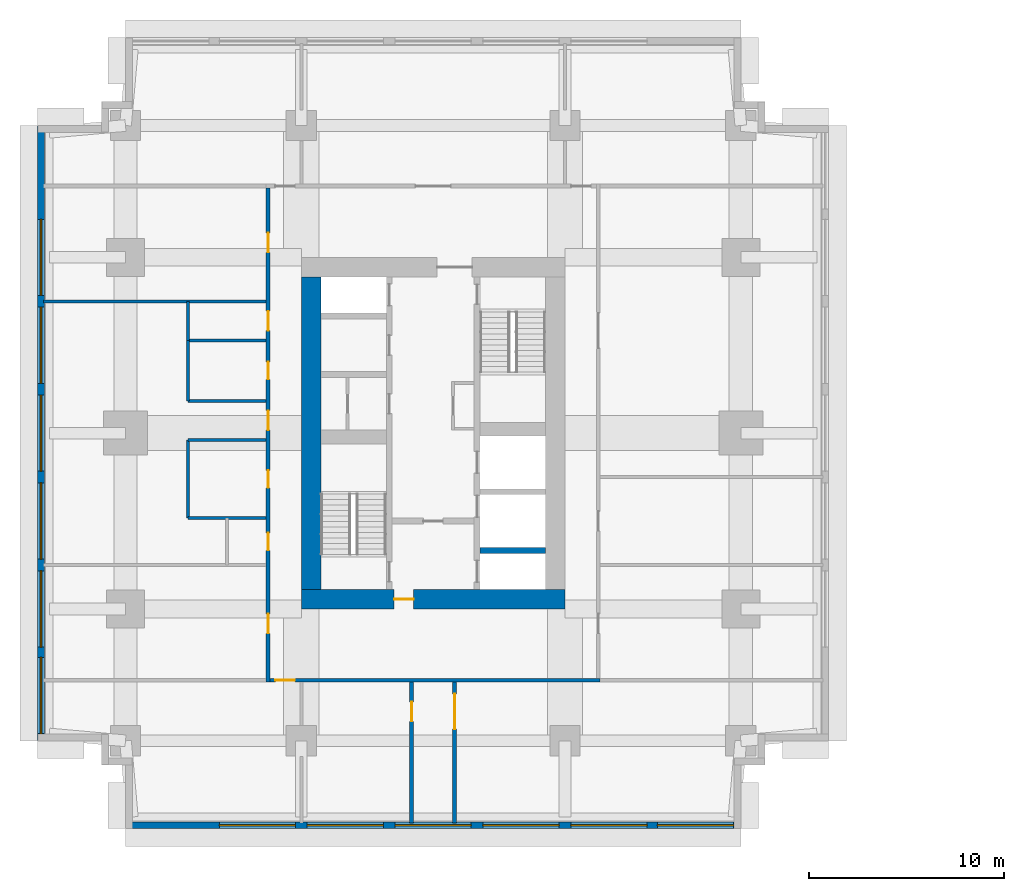
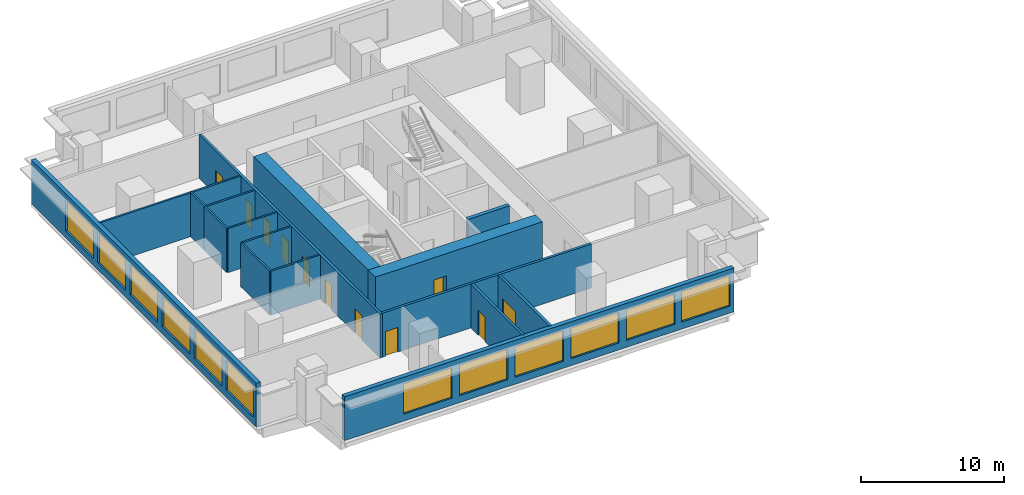
# One storey, part 2 of 5: 17 walls, 12 windows, 11 doors, 23 openings.
"""IFC4 building model written with IfcOpenShell, lengths in metres."""

from ifc_helpers import new_model, si_unit, direction, frame, frame_2d, origin, place, context, subcontext, project, spatial, rectangle, extrude, material, layer, layer_set, type_object, element, fill, save


model = new_model("IFC4")

# Units and contexts
model_context = context("Model", 3, precision=1e-05, world=origin(), true_north=direction((0.0, 1.0)))
body_context = subcontext(model_context, "Body", "Model", "MODEL_VIEW")
ifc_project = project(units=[si_unit("LENGTHUNIT", "METRE"), si_unit("AREAUNIT", "SQUARE_METRE"), si_unit("VOLUMEUNIT", "CUBIC_METRE"), si_unit("PLANEANGLEUNIT", "RADIAN"), si_unit("MASSUNIT", "GRAM", prefix="KILO")], contexts=[model_context])

# Site, building, storey
site_placement = place(None, origin())
site = spatial("IfcSite", under=ifc_project, at=site_placement, CompositionType="ELEMENT")
building_placement = place(site_placement, origin())
building = spatial("IfcBuilding", under=site, at=building_placement, Name="Namib Vertical Campus", CompositionType="ELEMENT")
storey_placement = place(building_placement, frame((0.0, 0.0, 241.0)))
storey = spatial("IfcBuildingStorey", under=building, at=storey_placement, Name="L57", CompositionType="ELEMENT", Elevation=241.0)

# Wall
ifc_material_1 = material(Name="Concrete C60/75", Category="concrete")
ifc_layer_1 = layer(ifc_material_1, 0.300048828125)
ifc_layer_set_1 = layer_set([ifc_layer_1], Name="Concrete C60/75")
wall_type_1 = type_object("IfcWallType", Name="Core inner wall 300", PredefinedType="SHEAR", material=ifc_layer_set_1)
wall_1_placement = place(storey_placement, frame((22.64990234375, 14.25, 0.0), z_axis=(0.0, 0.0, 1.0), x_axis=(1.0, 0.0, 0.0)))
element("IfcWall", 1, at=wall_1_placement, inside=storey, type_object=wall_type_1, Name="Core inner wall A L57 W5", PredefinedType="SHEAR", context=body_context, shape_type="SweptSolid", body=[
    extrude(rectangle(XDim=3.35009765625, YDim=0.300048828125, at=frame_2d((1.675048828125, 0.0))), origin(), (0.0, 0.0, 1.0), 4.0),
])

# Wall, opening, door
ifc_material_2 = material(Name="Concrete C60/75", Category="concrete")
ifc_layer_2 = layer(ifc_material_2, 1.0)
ifc_layer_set_2 = layer_set([ifc_layer_2], Name="Concrete C60/75")
wall_type_2 = type_object("IfcWallType", Name="Core wall 1000", PredefinedType="SHEAR", material=ifc_layer_set_2)
wall_2_placement = place(storey_placement, frame((13.5, 11.75, 0.0), z_axis=(0.0, 0.0, 1.0), x_axis=(1.0, 0.0, 0.0)))
wall_2 = element("IfcWall", 2, at=wall_2_placement, inside=storey, type_object=wall_type_2, Name="Core wall A L57 1", PredefinedType="SHEAR", context=body_context, shape_type="SweptSolid", body=[
    extrude(rectangle(XDim=13.5, YDim=1.0, at=frame_2d((6.75, 0.0))), origin(), (0.0, 0.0, 1.0), 4.0),
])
opening_1_placement = place(wall_2_placement, frame((4.75, 0.0, 0.0)))
opening_1 = element("IfcOpeningElement", 3, at=opening_1_placement, cuts=wall_2, Name="Opening FD5", PredefinedType="OPENING", context=body_context, shape_type="SweptSolid", body=[
    extrude(rectangle(XDim=1.0, YDim=2.10009765625, at=frame_2d((0.5, 1.050048828125))), frame((0.0, 0.510009765625, 0.0), z_axis=(0.0, -1.0, 0.0), x_axis=(1.0, 0.0, 0.0)), (0.0, 0.0, 1.0), 1.02001953125),
])
ifc_material_3 = material(Name="Steel fire door", Category="steel")
door_type_1 = type_object("IfcDoorType", Name="Fire door 1000x2100 120 min", OperationType="SINGLE_SWING_RIGHT", PredefinedType="DOOR", material=ifc_material_3)
door_1_placement = place(opening_1_placement, origin())
door_1 = element("IfcDoor", 4, at=door_1_placement, inside=storey, type_object=door_type_1, Name="Firefighting lobby door FD5 A L57", OperationType="SINGLE_SWING_LEFT", OverallHeight=2.10009765625, OverallWidth=1.0, PredefinedType="DOOR", context=body_context, shape_type="SweptSolid", body=[
    extrude(rectangle(XDim=1.0, YDim=2.10009765625, at=frame_2d((0.5, 1.050048828125))), frame((0.0, 0.02490234375, 0.0), z_axis=(0.0, -1.0, 0.0), x_axis=(1.0, 0.0, 0.0)), (0.0, 0.0, 1.0), 0.050048828125),
])
fill(opening_1, door_1)

# Wall
wall_3_placement = place(storey_placement, frame((14.0, 28.25, 0.0), z_axis=(0.0, 0.0, 1.0), x_axis=(0.0, -1.0, 0.0)))
element("IfcWall", 5, at=wall_3_placement, inside=storey, type_object=wall_type_2, Name="Core wall A L57 4", PredefinedType="SHEAR", context=body_context, shape_type="SweptSolid", body=[
    extrude(rectangle(XDim=16.0, YDim=1.0, at=frame_2d((8.0, 0.0))), origin(), (0.0, 0.0, 1.0), 4.0),
])

# Wall, opening, door
ifc_material_4 = material(Name="Concrete masonry", Category="masonry")
ifc_layer_3 = layer(ifc_material_4, 0.199951171875)
ifc_layer_set_3 = layer_set([ifc_layer_3], Name="Corridor wall 200")
wall_type_3 = type_object("IfcWallType", Name="Corridor wall 200", PredefinedType="SOLIDWALL", material=ifc_layer_set_3)
wall_4_placement = place(storey_placement, frame((11.89990234375, 7.60009765625, 0.0), z_axis=(0.0, 0.0, 1.0), x_axis=(1.0, 0.0, 0.0)))
wall_4 = element("IfcWall", 6, at=wall_4_placement, inside=storey, type_object=wall_type_3, Name="Corridor wall A L57 CS", PredefinedType="SOLIDWALL", context=body_context, shape_type="SweptSolid", body=[
    extrude(rectangle(XDim=16.900146484375, YDim=0.199951171875, at=frame_2d((8.4501953125, 0.0))), origin(), (0.0, 0.0, 1.0), 3.75),
])
opening_2_placement = place(wall_4_placement, frame((0.27490234375, 0.0, 0.0)))
opening_2 = element("IfcOpeningElement", 7, at=opening_2_placement, cuts=wall_4, Name="Opening CD1", PredefinedType="OPENING", context=body_context, shape_type="SweptSolid", body=[
    extrude(rectangle(XDim=1.0, YDim=2.10009765625, at=frame_2d((0.5, 1.050048828125))), frame((0.0, 0.10986328125, 0.0), z_axis=(0.0, -1.0, 0.0), x_axis=(1.0, 0.0, 0.0)), (0.0, 0.0, 1.0), 0.219970703125),
])
ifc_material_5 = material(Name="Timber fire door leaf", Category="wood")
door_type_2 = type_object("IfcDoorType", Name="Corridor door 1000x2100 20 min", OperationType="SINGLE_SWING_LEFT", PredefinedType="DOOR", material=ifc_material_5)
door_2_placement = place(opening_2_placement, frame((1.0, 0.0, 0.0), z_axis=(0.0, 0.0, 1.0), x_axis=(-1.0, 0.0, 0.0)))
door_2 = element("IfcDoor", 8, at=door_2_placement, inside=storey, type_object=door_type_2, Name="Door CD1 A57-01", OperationType="SINGLE_SWING_LEFT", OverallHeight=2.10009765625, OverallWidth=1.0, PredefinedType="DOOR", context=body_context, shape_type="SweptSolid", body=[
    extrude(rectangle(XDim=1.0, YDim=2.10009765625, at=frame_2d((0.5, 1.050048828125))), frame((0.0, 0.02490234375, 0.0), z_axis=(0.0, -1.0, 0.0), x_axis=(1.0, 0.0, 0.0)), (0.0, 0.0, 1.0), 0.050048828125),
])
fill(opening_2, door_2)

# Wall, openings, doors
wall_5_placement = place(storey_placement, frame((11.800048828125, 32.800048828125, 0.0), z_axis=(0.0, 0.0, 1.0), x_axis=(0.0, -1.0, 0.0)))
wall_5 = element("IfcWall", 9, at=wall_5_placement, inside=storey, type_object=wall_type_3, Name="Corridor wall A L57 CW", PredefinedType="SOLIDWALL", context=body_context, shape_type="SweptSolid", body=[
    extrude(rectangle(XDim=25.300048828125, YDim=0.199951171875, at=frame_2d((12.64990234375, 0.0))), origin(), (0.0, 0.0, 1.0), 3.75),
])
opening_3_placement = place(wall_5_placement, frame((21.800048828125, 0.0, 0.0)))
opening_3 = element("IfcOpeningElement", 10, at=opening_3_placement, cuts=wall_5, Name="Opening CD1", PredefinedType="OPENING", context=body_context, shape_type="SweptSolid", body=[
    extrude(rectangle(XDim=1.0, YDim=2.10009765625, at=frame_2d((0.5, 1.050048828125))), frame((0.0, 0.10986328125, 0.0), z_axis=(0.0, -1.0, 0.0), x_axis=(1.0, 0.0, 0.0)), (0.0, 0.0, 1.0), 0.219970703125),
])
opening_4_placement = place(wall_5_placement, frame((17.64990234375, 0.0, 0.0)))
opening_4 = element("IfcOpeningElement", 11, at=opening_4_placement, cuts=wall_5, Name="Opening CD3", PredefinedType="OPENING", context=body_context, shape_type="SweptSolid", body=[
    extrude(rectangle(XDim=0.89990234375, YDim=2.10009765625, at=frame_2d((0.449951171875, 1.050048828125))), frame((0.0, 0.10986328125, 0.0), z_axis=(0.0, -1.0, 0.0), x_axis=(1.0, 0.0, 0.0)), (0.0, 0.0, 1.0), 0.219970703125),
])
opening_5_placement = place(wall_5_placement, frame((14.449951171875, 0.0, 0.0)))
opening_5 = element("IfcOpeningElement", 12, at=opening_5_placement, cuts=wall_5, Name="Opening CD3", PredefinedType="OPENING", context=body_context, shape_type="SweptSolid", body=[
    extrude(rectangle(XDim=0.89990234375, YDim=2.10009765625, at=frame_2d((0.449951171875, 1.050048828125))), frame((0.0, 0.10986328125, 0.0), z_axis=(0.0, -1.0, 0.0), x_axis=(1.0, 0.0, 0.0)), (0.0, 0.0, 1.0), 0.219970703125),
])
opening_6_placement = place(wall_5_placement, frame((8.89990234375, 0.0, 0.0)))
opening_6 = element("IfcOpeningElement", 13, at=opening_6_placement, cuts=wall_5, Name="Opening CD3", PredefinedType="OPENING", context=body_context, shape_type="SweptSolid", body=[
    extrude(rectangle(XDim=0.89990234375, YDim=2.10009765625, at=frame_2d((0.449951171875, 1.050048828125))), frame((0.0, 0.10986328125, 0.0), z_axis=(0.0, -1.0, 0.0), x_axis=(1.0, 0.0, 0.0)), (0.0, 0.0, 1.0), 0.219970703125),
])
opening_7_placement = place(wall_5_placement, frame((6.300048828125, 0.0, 0.0)))
opening_7 = element("IfcOpeningElement", 14, at=opening_7_placement, cuts=wall_5, Name="Opening CD1", PredefinedType="OPENING", context=body_context, shape_type="SweptSolid", body=[
    extrude(rectangle(XDim=1.0, YDim=2.10009765625, at=frame_2d((0.5, 1.050048828125))), frame((0.0, 0.10986328125, 0.0), z_axis=(0.0, -1.0, 0.0), x_axis=(1.0, 0.0, 0.0)), (0.0, 0.0, 1.0), 0.219970703125),
])
opening_8_placement = place(wall_5_placement, frame((11.39990234375, 0.0, 0.0)))
opening_8 = element("IfcOpeningElement", 15, at=opening_8_placement, cuts=wall_5, Name="Opening CD1", PredefinedType="OPENING", context=body_context, shape_type="SweptSolid", body=[
    extrude(rectangle(XDim=1.0, YDim=2.10009765625, at=frame_2d((0.5, 1.050048828125))), frame((0.0, 0.10986328125, 0.0), z_axis=(0.0, -1.0, 0.0), x_axis=(1.0, 0.0, 0.0)), (0.0, 0.0, 1.0), 0.219970703125),
])
opening_9_placement = place(wall_5_placement, frame((2.300048828125, 0.0, 0.0)))
opening_9 = element("IfcOpeningElement", 16, at=opening_9_placement, cuts=wall_5, Name="Opening CD1", PredefinedType="OPENING", context=body_context, shape_type="SweptSolid", body=[
    extrude(rectangle(XDim=1.0, YDim=2.10009765625, at=frame_2d((0.5, 1.050048828125))), frame((0.0, 0.10986328125, 0.0), z_axis=(0.0, -1.0, 0.0), x_axis=(1.0, 0.0, 0.0)), (0.0, 0.0, 1.0), 0.219970703125),
])
door_3_placement = place(opening_3_placement, frame((1.0, 0.0, 0.0), z_axis=(0.0, 0.0, 1.0), x_axis=(-1.0, 0.0, 0.0)))
door_3 = element("IfcDoor", 17, at=door_3_placement, inside=storey, type_object=door_type_2, Name="Door CD1 A57-10", OperationType="SINGLE_SWING_RIGHT", OverallHeight=2.10009765625, OverallWidth=1.0, PredefinedType="DOOR", context=body_context, shape_type="SweptSolid", body=[
    extrude(rectangle(XDim=1.0, YDim=2.10009765625, at=frame_2d((0.5, 1.050048828125))), frame((0.0, 0.02490234375, 0.0), z_axis=(0.0, -1.0, 0.0), x_axis=(1.0, 0.0, 0.0)), (0.0, 0.0, 1.0), 0.050048828125),
])
fill(opening_3, door_3)
door_4_placement = place(opening_7_placement, frame((1.0, 0.0, 0.0), z_axis=(0.0, 0.0, 1.0), x_axis=(-1.0, 0.0, 0.0)))
door_4 = element("IfcDoor", 18, at=door_4_placement, inside=storey, type_object=door_type_2, Name="Door CD1 A57-14", OperationType="SINGLE_SWING_RIGHT", OverallHeight=2.10009765625, OverallWidth=1.0, PredefinedType="DOOR", context=body_context, shape_type="SweptSolid", body=[
    extrude(rectangle(XDim=1.0, YDim=2.10009765625, at=frame_2d((0.5, 1.050048828125))), frame((0.0, 0.02490234375, 0.0), z_axis=(0.0, -1.0, 0.0), x_axis=(1.0, 0.0, 0.0)), (0.0, 0.0, 1.0), 0.050048828125),
])
fill(opening_7, door_4)
door_5_placement = place(opening_8_placement, frame((1.0, 0.0, 0.0), z_axis=(0.0, 0.0, 1.0), x_axis=(-1.0, 0.0, 0.0)))
door_5 = element("IfcDoor", 19, at=door_5_placement, inside=storey, type_object=door_type_2, Name="Door CD1 A57-15", OperationType="SINGLE_SWING_RIGHT", OverallHeight=2.10009765625, OverallWidth=1.0, PredefinedType="DOOR", context=body_context, shape_type="SweptSolid", body=[
    extrude(rectangle(XDim=1.0, YDim=2.10009765625, at=frame_2d((0.5, 1.050048828125))), frame((0.0, 0.02490234375, 0.0), z_axis=(0.0, -1.0, 0.0), x_axis=(1.0, 0.0, 0.0)), (0.0, 0.0, 1.0), 0.050048828125),
])
fill(opening_8, door_5)
door_6_placement = place(opening_9_placement, frame((1.0, 0.0, 0.0), z_axis=(0.0, 0.0, 1.0), x_axis=(-1.0, 0.0, 0.0)))
door_6 = element("IfcDoor", 20, at=door_6_placement, inside=storey, type_object=door_type_2, Name="Door CD1 A57-16", OperationType="SINGLE_SWING_RIGHT", OverallHeight=2.10009765625, OverallWidth=1.0, PredefinedType="DOOR", context=body_context, shape_type="SweptSolid", body=[
    extrude(rectangle(XDim=1.0, YDim=2.10009765625, at=frame_2d((0.5, 1.050048828125))), frame((0.0, 0.02490234375, 0.0), z_axis=(0.0, -1.0, 0.0), x_axis=(1.0, 0.0, 0.0)), (0.0, 0.0, 1.0), 0.050048828125),
])
fill(opening_9, door_6)
ifc_material_6 = material(Name="Timber fire door leaf", Category="wood")
door_type_3 = type_object("IfcDoorType", Name="Corridor toilet door 900x2100 20 min", OperationType="SINGLE_SWING_LEFT", PredefinedType="DOOR", material=ifc_material_6)
door_7_placement = place(opening_4_placement, frame((0.89990234375, 0.0, 0.0), z_axis=(0.0, 0.0, 1.0), x_axis=(-1.0, 0.0, 0.0)))
door_7 = element("IfcDoor", 21, at=door_7_placement, inside=storey, type_object=door_type_3, Name="Door CD3 A57-11", OperationType="SINGLE_SWING_RIGHT", OverallHeight=2.10009765625, OverallWidth=0.89990234375, PredefinedType="DOOR", context=body_context, shape_type="SweptSolid", body=[
    extrude(rectangle(XDim=0.89990234375, YDim=2.10009765625, at=frame_2d((0.449951171875, 1.050048828125))), frame((0.0, 0.02490234375, 0.0), z_axis=(0.0, -1.0, 0.0), x_axis=(1.0, 0.0, 0.0)), (0.0, 0.0, 1.0), 0.050048828125),
])
fill(opening_4, door_7)
door_8_placement = place(opening_5_placement, frame((0.89990234375, 0.0, 0.0), z_axis=(0.0, 0.0, 1.0), x_axis=(-1.0, 0.0, 0.0)))
door_8 = element("IfcDoor", 22, at=door_8_placement, inside=storey, type_object=door_type_3, Name="Door CD3 A57-12", OperationType="SINGLE_SWING_RIGHT", OverallHeight=2.10009765625, OverallWidth=0.89990234375, PredefinedType="DOOR", context=body_context, shape_type="SweptSolid", body=[
    extrude(rectangle(XDim=0.89990234375, YDim=2.10009765625, at=frame_2d((0.449951171875, 1.050048828125))), frame((0.0, 0.02490234375, 0.0), z_axis=(0.0, -1.0, 0.0), x_axis=(1.0, 0.0, 0.0)), (0.0, 0.0, 1.0), 0.050048828125),
])
fill(opening_5, door_8)
door_9_placement = place(opening_6_placement, frame((0.89990234375, 0.0, 0.0), z_axis=(0.0, 0.0, 1.0), x_axis=(-1.0, 0.0, 0.0)))
door_9 = element("IfcDoor", 23, at=door_9_placement, inside=storey, type_object=door_type_3, Name="Door CD3 A57-13", OperationType="SINGLE_SWING_RIGHT", OverallHeight=2.10009765625, OverallWidth=0.89990234375, PredefinedType="DOOR", context=body_context, shape_type="SweptSolid", body=[
    extrude(rectangle(XDim=0.89990234375, YDim=2.10009765625, at=frame_2d((0.449951171875, 1.050048828125))), frame((0.0, 0.02490234375, 0.0), z_axis=(0.0, -1.0, 0.0), x_axis=(1.0, 0.0, 0.0)), (0.0, 0.0, 1.0), 0.050048828125),
])
fill(opening_6, door_9)

# Wall, opening, door
wall_6_placement = place(storey_placement, frame((19.14990234375, 0.300048828125, 0.0), z_axis=(0.0, 0.0, 1.0), x_axis=(0.0, 1.0, 0.0)))
wall_6 = element("IfcWall", 24, at=wall_6_placement, inside=storey, type_object=wall_type_3, Name="Corridor wall A L57 SPS1", PredefinedType="SOLIDWALL", context=body_context, shape_type="SweptSolid", body=[
    extrude(rectangle(XDim=7.199951171875, YDim=0.199951171875, at=frame_2d((3.60009765625, 0.0))), origin(), (0.0, 0.0, 1.0), 3.75),
])
opening_10_placement = place(wall_6_placement, frame((5.199951171875, 0.0, 0.0)))
opening_10 = element("IfcOpeningElement", 25, at=opening_10_placement, cuts=wall_6, Name="Opening CD1", PredefinedType="OPENING", context=body_context, shape_type="SweptSolid", body=[
    extrude(rectangle(XDim=1.0, YDim=2.10009765625, at=frame_2d((0.5, 1.050048828125))), frame((0.0, 0.10986328125, 0.0), z_axis=(0.0, -1.0, 0.0), x_axis=(1.0, 0.0, 0.0)), (0.0, 0.0, 1.0), 0.219970703125),
])
door_10_placement = place(opening_10_placement, origin())
door_10 = element("IfcDoor", 26, at=door_10_placement, inside=storey, type_object=door_type_2, Name="Door CD1 A57-02", OperationType="SINGLE_SWING_RIGHT", OverallHeight=2.10009765625, OverallWidth=1.0, PredefinedType="DOOR", context=body_context, shape_type="SweptSolid", body=[
    extrude(rectangle(XDim=1.0, YDim=2.10009765625, at=frame_2d((0.5, 1.050048828125))), frame((0.0, 0.02490234375, 0.0), z_axis=(0.0, -1.0, 0.0), x_axis=(1.0, 0.0, 0.0)), (0.0, 0.0, 1.0), 0.050048828125),
])
fill(opening_10, door_10)

wall_7_placement = place(storey_placement, frame((21.35009765625, 7.5, 0.0), z_axis=(0.0, 0.0, 1.0), x_axis=(0.0, -1.0, 0.0)))
wall_7 = element("IfcWall", 27, at=wall_7_placement, inside=storey, type_object=wall_type_3, Name="Corridor wall A L57 SPS2", PredefinedType="SOLIDWALL", context=body_context, shape_type="SweptSolid", body=[
    extrude(rectangle(XDim=7.199951171875, YDim=0.199951171875, at=frame_2d((3.60009765625, 0.0))), origin(), (0.0, 0.0, 1.0), 3.75),
])
opening_11_placement = place(wall_7_placement, frame((0.60009765625, 0.0, 0.0)))
opening_11 = element("IfcOpeningElement", 28, at=opening_11_placement, cuts=wall_7, Name="Opening CD2", PredefinedType="OPENING", context=body_context, shape_type="SweptSolid", body=[
    extrude(rectangle(XDim=1.800048828125, YDim=2.10009765625, at=frame_2d((0.89990234375, 1.050048828125))), frame((0.0, 0.10986328125, 0.0), z_axis=(0.0, -1.0, 0.0), x_axis=(1.0, 0.0, 0.0)), (0.0, 0.0, 1.0), 0.219970703125),
])
ifc_material_7 = material(Name="Timber fire door leaf", Category="wood")
door_type_4 = type_object("IfcDoorType", Name="Corridor door double 1800x2100 20 min", OperationType="DOUBLE_DOOR_SINGLE_SWING", PredefinedType="DOOR", material=ifc_material_7)
door_11_placement = place(opening_11_placement, origin())
door_11 = element("IfcDoor", 29, at=door_11_placement, inside=storey, type_object=door_type_4, Name="Door CD2 A57-03", OperationType="DOUBLE_DOOR_SINGLE_SWING", OverallHeight=2.10009765625, OverallWidth=1.800048828125, PredefinedType="DOOR", context=body_context, shape_type="SweptSolid", body=[
    extrude(rectangle(XDim=1.800048828125, YDim=2.10009765625, at=frame_2d((0.89990234375, 1.050048828125))), frame((0.0, 0.02490234375, 0.0), z_axis=(0.0, -1.0, 0.0), x_axis=(1.0, 0.0, 0.0)), (0.0, 0.0, 1.0), 0.050048828125),
])
fill(opening_11, door_11)

# Wall, openings, windows
ifc_material_8 = material(Name="Concrete C40/50", Category="concrete")
ifc_layer_4 = layer(ifc_material_8, 0.35009765625)
ifc_layer_set_4 = layer_set([ifc_layer_4], Name="Concrete C40/50")
wall_type_4 = type_object("IfcWallType", Name="External wall 350 bush-hammered concrete", PredefinedType="STANDARD", material=ifc_layer_set_4)
wall_8_placement = place(storey_placement, frame((4.52001953125, 0.175048828125, 0.0), z_axis=(0.0, 0.0, 1.0), x_axis=(1.0, 0.0, 0.0)))
wall_8 = element("IfcWall", 30, at=wall_8_placement, inside=storey, type_object=wall_type_4, Name="External wall L57 F01", PredefinedType="STANDARD", context=body_context, shape_type="SweptSolid", body=[
    extrude(rectangle(XDim=31.4599609375, YDim=0.35009765625, at=frame_2d((15.72998046875, 0.0))), origin(), (0.0, 0.0, 1.0), 3.75),
])
opening_12_placement = place(wall_8_placement, frame((4.780029296875, 0.0, 0.60009765625)))
opening_12 = element("IfcOpeningElement", 31, at=opening_12_placement, cuts=wall_8, Name="Opening W2", PredefinedType="OPENING", context=body_context, shape_type="SweptSolid", body=[
    extrude(rectangle(XDim=3.89990234375, YDim=2.60009765625, at=frame_2d((1.949951171875, 1.300048828125))), frame((0.0, 0.18505859375, 0.0), z_axis=(0.0, -1.0, 0.0), x_axis=(1.0, 0.0, 0.0)), (0.0, 0.0, 1.0), 0.3701171875),
])
opening_13_placement = place(wall_8_placement, frame((9.280029296875, 0.0, 0.60009765625)))
opening_13 = element("IfcOpeningElement", 32, at=opening_13_placement, cuts=wall_8, Name="Opening W2", PredefinedType="OPENING", context=body_context, shape_type="SweptSolid", body=[
    extrude(rectangle(XDim=3.89990234375, YDim=2.60009765625, at=frame_2d((1.949951171875, 1.300048828125))), frame((0.0, 0.18505859375, 0.0), z_axis=(0.0, -1.0, 0.0), x_axis=(1.0, 0.0, 0.0)), (0.0, 0.0, 1.0), 0.3701171875),
])
opening_14_placement = place(wall_8_placement, frame((13.780029296875, 0.0, 0.60009765625)))
opening_14 = element("IfcOpeningElement", 33, at=opening_14_placement, cuts=wall_8, Name="Opening W2", PredefinedType="OPENING", context=body_context, shape_type="SweptSolid", body=[
    extrude(rectangle(XDim=3.89990234375, YDim=2.60009765625, at=frame_2d((1.949951171875, 1.300048828125))), frame((0.0, 0.18505859375, 0.0), z_axis=(0.0, -1.0, 0.0), x_axis=(1.0, 0.0, 0.0)), (0.0, 0.0, 1.0), 0.3701171875),
])
opening_15_placement = place(wall_8_placement, frame((18.280029296875, 0.0, 0.60009765625)))
opening_15 = element("IfcOpeningElement", 34, at=opening_15_placement, cuts=wall_8, Name="Opening W2", PredefinedType="OPENING", context=body_context, shape_type="SweptSolid", body=[
    extrude(rectangle(XDim=3.89990234375, YDim=2.60009765625, at=frame_2d((1.949951171875, 1.300048828125))), frame((0.0, 0.18505859375, 0.0), z_axis=(0.0, -1.0, 0.0), x_axis=(1.0, 0.0, 0.0)), (0.0, 0.0, 1.0), 0.3701171875),
])
opening_16_placement = place(wall_8_placement, frame((22.780029296875, 0.0, 0.60009765625)))
opening_16 = element("IfcOpeningElement", 35, at=opening_16_placement, cuts=wall_8, Name="Opening W2", PredefinedType="OPENING", context=body_context, shape_type="SweptSolid", body=[
    extrude(rectangle(XDim=3.89990234375, YDim=2.60009765625, at=frame_2d((1.949951171875, 1.300048828125))), frame((0.0, 0.18505859375, 0.0), z_axis=(0.0, -1.0, 0.0), x_axis=(1.0, 0.0, 0.0)), (0.0, 0.0, 1.0), 0.3701171875),
])
opening_17_placement = place(wall_8_placement, frame((27.2099609375, 0.0, 0.60009765625)))
opening_17 = element("IfcOpeningElement", 36, at=opening_17_placement, cuts=wall_8, Name="Opening W2", PredefinedType="OPENING", context=body_context, shape_type="SweptSolid", body=[
    extrude(rectangle(XDim=3.89990234375, YDim=2.60009765625, at=frame_2d((1.949951171875, 1.300048828125))), frame((0.0, 0.18505859375, 0.0), z_axis=(0.0, -1.0, 0.0), x_axis=(1.0, 0.0, 0.0)), (0.0, 0.0, 1.0), 0.3701171875),
])
ifc_material_9 = material(Name="Dark tinted glass in black aluminium frame", Category="aluminium")
window_type = type_object("IfcWindowType", Name="Ribbon window 3900x2600", PartitioningType="SINGLE_PANEL", PredefinedType="WINDOW", material=ifc_material_9)
window_1_placement = place(opening_12_placement, origin())
window_1 = element("IfcWindow", 37, at=window_1_placement, inside=storey, type_object=window_type, Name="Window W2 L57 F01-2", OverallHeight=2.60009765625, OverallWidth=3.89990234375, PartitioningType="SINGLE_PANEL", PredefinedType="WINDOW", context=body_context, shape_type="SweptSolid", body=[
    extrude(rectangle(XDim=3.89990234375, YDim=2.60009765625, at=frame_2d((1.949951171875, 1.300048828125))), frame((0.0, 0.030029296875, 0.0), z_axis=(0.0, -1.0, 0.0), x_axis=(1.0, 0.0, 0.0)), (0.0, 0.0, 1.0), 0.06005859375),
])
fill(opening_12, window_1)
window_2_placement = place(opening_13_placement, origin())
window_2 = element("IfcWindow", 38, at=window_2_placement, inside=storey, type_object=window_type, Name="Window W2 L57 F01-3", OverallHeight=2.60009765625, OverallWidth=3.89990234375, PartitioningType="SINGLE_PANEL", PredefinedType="WINDOW", context=body_context, shape_type="SweptSolid", body=[
    extrude(rectangle(XDim=3.89990234375, YDim=2.60009765625, at=frame_2d((1.949951171875, 1.300048828125))), frame((0.0, 0.030029296875, 0.0), z_axis=(0.0, -1.0, 0.0), x_axis=(1.0, 0.0, 0.0)), (0.0, 0.0, 1.0), 0.06005859375),
])
fill(opening_13, window_2)
window_3_placement = place(opening_14_placement, origin())
window_3 = element("IfcWindow", 39, at=window_3_placement, inside=storey, type_object=window_type, Name="Window W2 L57 F01-4", OverallHeight=2.60009765625, OverallWidth=3.89990234375, PartitioningType="SINGLE_PANEL", PredefinedType="WINDOW", context=body_context, shape_type="SweptSolid", body=[
    extrude(rectangle(XDim=3.89990234375, YDim=2.60009765625, at=frame_2d((1.949951171875, 1.300048828125))), frame((0.0, 0.030029296875, 0.0), z_axis=(0.0, -1.0, 0.0), x_axis=(1.0, 0.0, 0.0)), (0.0, 0.0, 1.0), 0.06005859375),
])
fill(opening_14, window_3)
window_4_placement = place(opening_15_placement, origin())
window_4 = element("IfcWindow", 40, at=window_4_placement, inside=storey, type_object=window_type, Name="Window W2 L57 F01-5", OverallHeight=2.60009765625, OverallWidth=3.89990234375, PartitioningType="SINGLE_PANEL", PredefinedType="WINDOW", context=body_context, shape_type="SweptSolid", body=[
    extrude(rectangle(XDim=3.89990234375, YDim=2.60009765625, at=frame_2d((1.949951171875, 1.300048828125))), frame((0.0, 0.030029296875, 0.0), z_axis=(0.0, -1.0, 0.0), x_axis=(1.0, 0.0, 0.0)), (0.0, 0.0, 1.0), 0.06005859375),
])
fill(opening_15, window_4)
window_5_placement = place(opening_16_placement, origin())
window_5 = element("IfcWindow", 41, at=window_5_placement, inside=storey, type_object=window_type, Name="Window W2 L57 F01-6", OverallHeight=2.60009765625, OverallWidth=3.89990234375, PartitioningType="SINGLE_PANEL", PredefinedType="WINDOW", context=body_context, shape_type="SweptSolid", body=[
    extrude(rectangle(XDim=3.89990234375, YDim=2.60009765625, at=frame_2d((1.949951171875, 1.300048828125))), frame((0.0, 0.030029296875, 0.0), z_axis=(0.0, -1.0, 0.0), x_axis=(1.0, 0.0, 0.0)), (0.0, 0.0, 1.0), 0.06005859375),
])
fill(opening_16, window_5)
window_6_placement = place(opening_17_placement, origin())
window_6 = element("IfcWindow", 42, at=window_6_placement, inside=storey, type_object=window_type, Name="Window W2 L57 F01-7", OverallHeight=2.60009765625, OverallWidth=3.89990234375, PartitioningType="SINGLE_PANEL", PredefinedType="WINDOW", context=body_context, shape_type="SweptSolid", body=[
    extrude(rectangle(XDim=3.89990234375, YDim=2.60009765625, at=frame_2d((1.949951171875, 1.300048828125))), frame((0.0, 0.030029296875, 0.0), z_axis=(0.0, -1.0, 0.0), x_axis=(1.0, 0.0, 0.0)), (0.0, 0.0, 1.0), 0.06005859375),
])
fill(opening_17, window_6)

wall_9_placement = place(storey_placement, frame((0.175048828125, 35.97998046875, 0.0), z_axis=(0.0, 0.0, 1.0), x_axis=(0.0, -1.0, 0.0)))
wall_9 = element("IfcWall", 43, at=wall_9_placement, inside=storey, type_object=wall_type_4, Name="External wall L57 F16", PredefinedType="STANDARD", context=body_context, shape_type="SweptSolid", body=[
    extrude(rectangle(XDim=31.4599609375, YDim=0.35009765625, at=frame_2d((15.72998046875, 0.0))), origin(), (0.0, 0.0, 1.0), 3.75),
])
opening_18_placement = place(wall_9_placement, frame((27.2099609375, 0.0, 0.60009765625)))
opening_18 = element("IfcOpeningElement", 44, at=opening_18_placement, cuts=wall_9, Name="Opening W2", PredefinedType="OPENING", context=body_context, shape_type="SweptSolid", body=[
    extrude(rectangle(XDim=3.89990234375, YDim=2.60009765625, at=frame_2d((1.949951171875, 1.300048828125))), frame((0.0, 0.18505859375, 0.0), z_axis=(0.0, -1.0, 0.0), x_axis=(1.0, 0.0, 0.0)), (0.0, 0.0, 1.0), 0.3701171875),
])
opening_19_placement = place(wall_9_placement, frame((22.780029296875, 0.0, 0.60009765625)))
opening_19 = element("IfcOpeningElement", 45, at=opening_19_placement, cuts=wall_9, Name="Opening W2", PredefinedType="OPENING", context=body_context, shape_type="SweptSolid", body=[
    extrude(rectangle(XDim=3.89990234375, YDim=2.60009765625, at=frame_2d((1.949951171875, 1.300048828125))), frame((0.0, 0.18505859375, 0.0), z_axis=(0.0, -1.0, 0.0), x_axis=(1.0, 0.0, 0.0)), (0.0, 0.0, 1.0), 0.3701171875),
])
opening_20_placement = place(wall_9_placement, frame((18.280029296875, 0.0, 0.60009765625)))
opening_20 = element("IfcOpeningElement", 46, at=opening_20_placement, cuts=wall_9, Name="Opening W2", PredefinedType="OPENING", context=body_context, shape_type="SweptSolid", body=[
    extrude(rectangle(XDim=3.89990234375, YDim=2.60009765625, at=frame_2d((1.949951171875, 1.300048828125))), frame((0.0, 0.18505859375, 0.0), z_axis=(0.0, -1.0, 0.0), x_axis=(1.0, 0.0, 0.0)), (0.0, 0.0, 1.0), 0.3701171875),
])
opening_21_placement = place(wall_9_placement, frame((13.780029296875, 0.0, 0.60009765625)))
opening_21 = element("IfcOpeningElement", 47, at=opening_21_placement, cuts=wall_9, Name="Opening W2", PredefinedType="OPENING", context=body_context, shape_type="SweptSolid", body=[
    extrude(rectangle(XDim=3.89990234375, YDim=2.60009765625, at=frame_2d((1.949951171875, 1.300048828125))), frame((0.0, 0.18505859375, 0.0), z_axis=(0.0, -1.0, 0.0), x_axis=(1.0, 0.0, 0.0)), (0.0, 0.0, 1.0), 0.3701171875),
])
opening_22_placement = place(wall_9_placement, frame((9.280029296875, 0.0, 0.60009765625)))
opening_22 = element("IfcOpeningElement", 48, at=opening_22_placement, cuts=wall_9, Name="Opening W2", PredefinedType="OPENING", context=body_context, shape_type="SweptSolid", body=[
    extrude(rectangle(XDim=3.89990234375, YDim=2.60009765625, at=frame_2d((1.949951171875, 1.300048828125))), frame((0.0, 0.18505859375, 0.0), z_axis=(0.0, -1.0, 0.0), x_axis=(1.0, 0.0, 0.0)), (0.0, 0.0, 1.0), 0.3701171875),
])
opening_23_placement = place(wall_9_placement, frame((4.780029296875, 0.0, 0.60009765625)))
opening_23 = element("IfcOpeningElement", 49, at=opening_23_placement, cuts=wall_9, Name="Opening W2", PredefinedType="OPENING", context=body_context, shape_type="SweptSolid", body=[
    extrude(rectangle(XDim=3.89990234375, YDim=2.60009765625, at=frame_2d((1.949951171875, 1.300048828125))), frame((0.0, 0.18505859375, 0.0), z_axis=(0.0, -1.0, 0.0), x_axis=(1.0, 0.0, 0.0)), (0.0, 0.0, 1.0), 0.3701171875),
])
window_7_placement = place(opening_18_placement, origin())
window_7 = element("IfcWindow", 50, at=window_7_placement, inside=storey, type_object=window_type, Name="Window W2 L57 F16-1", OverallHeight=2.60009765625, OverallWidth=3.89990234375, PartitioningType="SINGLE_PANEL", PredefinedType="WINDOW", context=body_context, shape_type="SweptSolid", body=[
    extrude(rectangle(XDim=3.89990234375, YDim=2.60009765625, at=frame_2d((1.949951171875, 1.300048828125))), frame((0.0, 0.030029296875, 0.0), z_axis=(0.0, -1.0, 0.0), x_axis=(1.0, 0.0, 0.0)), (0.0, 0.0, 1.0), 0.06005859375),
])
fill(opening_18, window_7)
window_8_placement = place(opening_19_placement, origin())
window_8 = element("IfcWindow", 51, at=window_8_placement, inside=storey, type_object=window_type, Name="Window W2 L57 F16-2", OverallHeight=2.60009765625, OverallWidth=3.89990234375, PartitioningType="SINGLE_PANEL", PredefinedType="WINDOW", context=body_context, shape_type="SweptSolid", body=[
    extrude(rectangle(XDim=3.89990234375, YDim=2.60009765625, at=frame_2d((1.949951171875, 1.300048828125))), frame((0.0, 0.030029296875, 0.0), z_axis=(0.0, -1.0, 0.0), x_axis=(1.0, 0.0, 0.0)), (0.0, 0.0, 1.0), 0.06005859375),
])
fill(opening_19, window_8)
window_9_placement = place(opening_20_placement, origin())
window_9 = element("IfcWindow", 52, at=window_9_placement, inside=storey, type_object=window_type, Name="Window W2 L57 F16-3", OverallHeight=2.60009765625, OverallWidth=3.89990234375, PartitioningType="SINGLE_PANEL", PredefinedType="WINDOW", context=body_context, shape_type="SweptSolid", body=[
    extrude(rectangle(XDim=3.89990234375, YDim=2.60009765625, at=frame_2d((1.949951171875, 1.300048828125))), frame((0.0, 0.030029296875, 0.0), z_axis=(0.0, -1.0, 0.0), x_axis=(1.0, 0.0, 0.0)), (0.0, 0.0, 1.0), 0.06005859375),
])
fill(opening_20, window_9)
window_10_placement = place(opening_21_placement, origin())
window_10 = element("IfcWindow", 53, at=window_10_placement, inside=storey, type_object=window_type, Name="Window W2 L57 F16-4", OverallHeight=2.60009765625, OverallWidth=3.89990234375, PartitioningType="SINGLE_PANEL", PredefinedType="WINDOW", context=body_context, shape_type="SweptSolid", body=[
    extrude(rectangle(XDim=3.89990234375, YDim=2.60009765625, at=frame_2d((1.949951171875, 1.300048828125))), frame((0.0, 0.030029296875, 0.0), z_axis=(0.0, -1.0, 0.0), x_axis=(1.0, 0.0, 0.0)), (0.0, 0.0, 1.0), 0.06005859375),
])
fill(opening_21, window_10)
window_11_placement = place(opening_22_placement, origin())
window_11 = element("IfcWindow", 54, at=window_11_placement, inside=storey, type_object=window_type, Name="Window W2 L57 F16-5", OverallHeight=2.60009765625, OverallWidth=3.89990234375, PartitioningType="SINGLE_PANEL", PredefinedType="WINDOW", context=body_context, shape_type="SweptSolid", body=[
    extrude(rectangle(XDim=3.89990234375, YDim=2.60009765625, at=frame_2d((1.949951171875, 1.300048828125))), frame((0.0, 0.030029296875, 0.0), z_axis=(0.0, -1.0, 0.0), x_axis=(1.0, 0.0, 0.0)), (0.0, 0.0, 1.0), 0.06005859375),
])
fill(opening_22, window_11)
window_12_placement = place(opening_23_placement, origin())
window_12 = element("IfcWindow", 55, at=window_12_placement, inside=storey, type_object=window_type, Name="Window W2 L57 F16-6", OverallHeight=2.60009765625, OverallWidth=3.89990234375, PartitioningType="SINGLE_PANEL", PredefinedType="WINDOW", context=body_context, shape_type="SweptSolid", body=[
    extrude(rectangle(XDim=3.89990234375, YDim=2.60009765625, at=frame_2d((1.949951171875, 1.300048828125))), frame((0.0, 0.030029296875, 0.0), z_axis=(0.0, -1.0, 0.0), x_axis=(1.0, 0.0, 0.0)), (0.0, 0.0, 1.0), 0.06005859375),
])
fill(opening_23, window_12)

# Walls
ifc_material_10 = material(Name="Gypsum board on steel studs", Category="steel")
ifc_layer_5 = layer(ifc_material_10, 0.14990234375)
ifc_layer_set_5 = layer_set([ifc_layer_5], Name="Gypsum board on steel studs")
wall_type_5 = type_object("IfcWallType", Name="Partition 150", PredefinedType="PARTITIONING", material=ifc_layer_set_5)
wall_10_placement = place(storey_placement, frame((0.300048828125, 27.0, 0.0), z_axis=(0.0, 0.0, 1.0), x_axis=(1.0, 0.0, 0.0)))
element("IfcWall", 56, at=wall_10_placement, inside=storey, type_object=wall_type_5, Name="Partition A L57 PW2", PredefinedType="PARTITIONING", context=body_context, shape_type="SweptSolid", body=[
    extrude(rectangle(XDim=11.39990234375, YDim=0.14990234375, at=frame_2d((5.699951171875, 0.0))), origin(), (0.0, 0.0, 1.0), 3.75),
])
for number, where, z_axis, x_axis, name in (
    (57, (11.699951171875, 15.89990234375, 0.0), (0.0, 0.0, 1.0), (-1.0, 0.0, 0.0), "Partition A L57 WR1"),
    (58, (11.699951171875, 19.89990234375, 0.0), (0.0, 0.0, 1.0), (-1.0, 0.0, 0.0), "Partition A L57 WR2"),
    (59, (11.699951171875, 21.89990234375, 0.0), (0.0, 0.0, 1.0), (-1.0, 0.0, 0.0), "Partition A L57 WR3"),
    (60, (11.699951171875, 25.0, 0.0), (0.0, 0.0, 1.0), (-1.0, 0.0, 0.0), "Partition A L57 WR4"),
    (61, (7.699951171875, 15.89990234375, 0.0), (0.0, 0.0, 1.0), (0.0, 1.0, 0.0), "Partition A L57 WB2"),
):
    element("IfcWall", number, at=place(storey_placement, frame(where, z_axis=z_axis, x_axis=x_axis)), inside=storey, type_object=wall_type_5, Name=name, PredefinedType="PARTITIONING", context=body_context, shape_type="SweptSolid", body=[
        extrude(rectangle(XDim=4.0, YDim=0.14990234375, at=frame_2d((2.0, 0.0))), origin(), (0.0, 0.0, 1.0), 3.75),
    ])
wall_11_placement = place(storey_placement, frame((7.699951171875, 21.89990234375, 0.0), z_axis=(0.0, 0.0, 1.0), x_axis=(0.0, 1.0, 0.0)))
element("IfcWall", 62, at=wall_11_placement, inside=storey, type_object=wall_type_5, Name="Partition A L57 WB3", PredefinedType="PARTITIONING", context=body_context, shape_type="SweptSolid", body=[
    extrude(rectangle(XDim=3.10009765625, YDim=0.14990234375, at=frame_2d((1.550048828125, 0.0))), origin(), (0.0, 0.0, 1.0), 3.75),
])
wall_12_placement = place(storey_placement, frame((7.699951171875, 25.0, 0.0), z_axis=(0.0, 0.0, 1.0), x_axis=(0.0, 1.0, 0.0)))
element("IfcWall", 63, at=wall_12_placement, inside=storey, type_object=wall_type_5, Name="Partition A L57 WB4", PredefinedType="PARTITIONING", context=body_context, shape_type="SweptSolid", body=[
    extrude(rectangle(XDim=2.0, YDim=0.14990234375, at=frame_2d((1.0, 0.0))), origin(), (0.0, 0.0, 1.0), 3.75),
])

save(model, "model.ifc")
